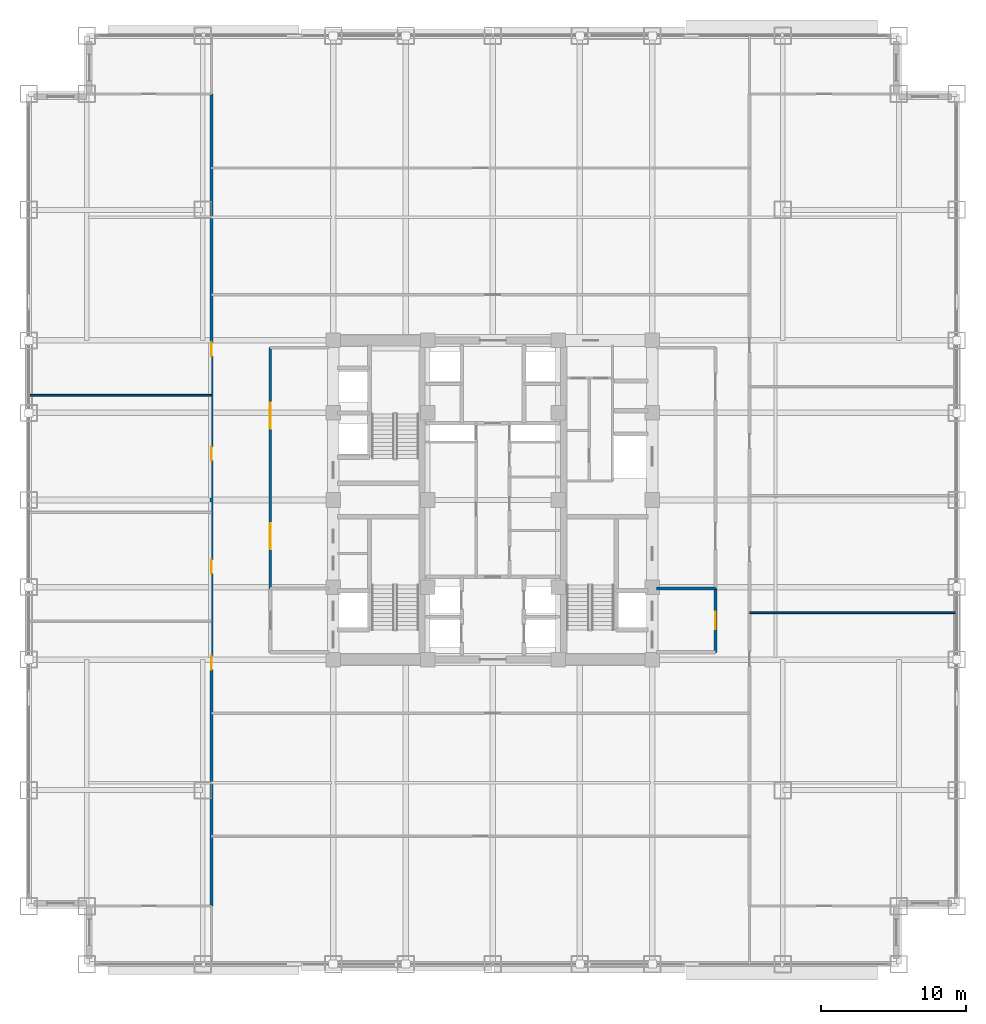
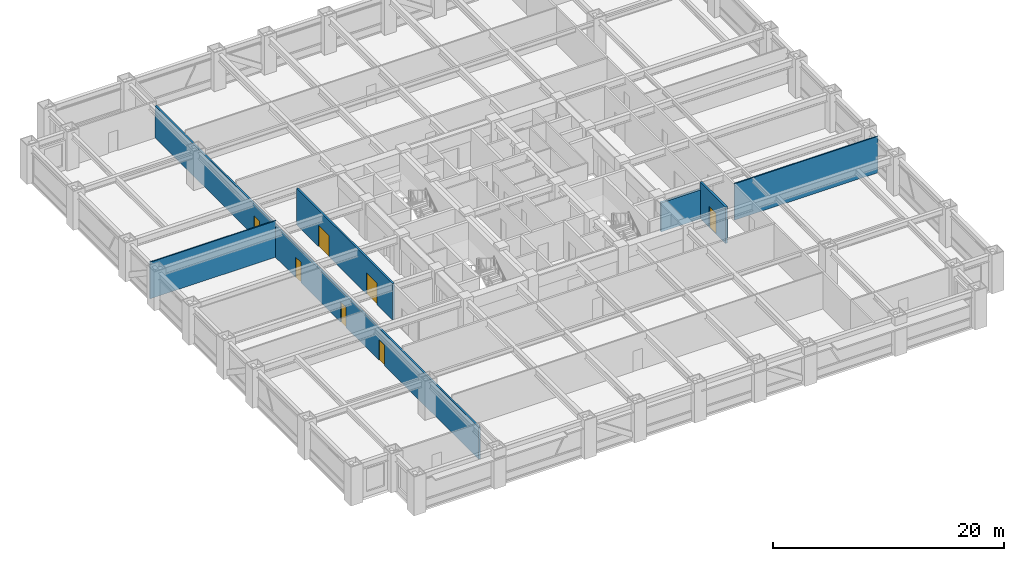
# One storey, part 24 of 32: 7 doors, 6 walls, 7 openings.
"""IFC4 building model written with IfcOpenShell, lengths in metres."""

from ifc_helpers import new_model, si_unit, direction, frame, frame_2d, origin, place, context, subcontext, project, spatial, rectangle, extrude, source, transform, mapped, material, layer, layer_set, type_object, element, fill, save


model = new_model("IFC4")

# Units and contexts
model_context = context("Model", 3, precision=1e-05, world=origin(), true_north=direction((0.0, 1.0)))
body_context = subcontext(model_context, "Body", "Model", "MODEL_VIEW")
ifc_project = project(units=[si_unit("LENGTHUNIT", "METRE"), si_unit("AREAUNIT", "SQUARE_METRE"), si_unit("VOLUMEUNIT", "CUBIC_METRE"), si_unit("PLANEANGLEUNIT", "RADIAN"), si_unit("MASSUNIT", "GRAM", prefix="KILO")], contexts=[model_context])

# Site, building, storey
site_placement = place(None, origin())
site = spatial("IfcSite", under=ifc_project, at=site_placement, CompositionType="ELEMENT")
building_placement = place(site_placement, origin())
building = spatial("IfcBuilding", under=site, at=building_placement, Name="Khorayat Bourse Tower", CompositionType="ELEMENT")
storey_placement = place(building_placement, frame((0.0, 0.0, 91.39990234375)))
storey = spatial("IfcBuildingStorey", under=building, at=storey_placement, Name="L20", CompositionType="ELEMENT", Elevation=91.39990234375)

# Wall
ifc_material_1 = material(Name="Aerated concrete blockwork", Category="masonry")
ifc_layer_1 = layer(ifc_material_1, 0.219970703125)
ifc_layer_set_1 = layer_set([ifc_layer_1], Name="Aerated concrete blockwork")
wall_type_1 = type_object("IfcWallType", Name="WAL-PART-FF-220", PredefinedType="PARTITIONING", material=ifc_layer_set_1)
shared_shape_1 = source(origin(), body_context, "Body", "SweptSolid", [
    extrude(rectangle(XDim=4.050048828125, YDim=0.219970703125, at=frame_2d((2.02490234375, 0.0))), origin(), (0.0, 0.0, 1.0), 3.067138671875),
])
wall_1_placement = place(storey_placement, frame((11.300048828125, -6.10009765625, 0.0), z_axis=(0.0, 0.0, 1.0), x_axis=(1.0, 0.0, 0.0)))
element("IfcWall", 1, at=wall_1_placement, inside=storey, type_object=wall_type_1, Name="L20 Partition WAL-L20-FFLE-N", PredefinedType="PARTITIONING", context=body_context, shape_type="MappedRepresentation", body=[
    mapped(shared_shape_1, transform((0.0, 0.0, 0.0), scale=1.0)),
])

# Wall, opening, door
shared_shape_2 = source(origin(), body_context, "Body", "SweptSolid", [
    extrude(rectangle(XDim=4.39990234375, YDim=0.219970703125, at=frame_2d((2.199951171875, 0.0))), origin(), (0.0, 0.0, 1.0), 3.840087890625),
])
wall_2_placement = place(storey_placement, frame((15.35009765625, -10.5, 0.0), z_axis=(0.0, 0.0, 1.0), x_axis=(0.0, 1.0, 0.0)))
wall_2 = element("IfcWall", 2, at=wall_2_placement, inside=storey, type_object=wall_type_1, Name="L20 Partition WAL-L20-FFLE-E", PredefinedType="PARTITIONING", context=body_context, shape_type="MappedRepresentation", body=[
    mapped(shared_shape_2, transform((0.0, 0.0, 0.0), scale=1.0)),
])
shared_shape_3 = source(origin(), body_context, "Body", "SweptSolid", [
    extrude(rectangle(XDim=1.199951171875, YDim=2.199951171875, at=frame_2d((0.60009765625, 1.10009765625))), frame((0.0, 0.119873046875, 0.0), z_axis=(0.0, -1.0, 0.0), x_axis=(1.0, 0.0, 0.0)), (0.0, 0.0, 1.0), 0.239990234375),
])
opening_1_placement = place(wall_2_placement, frame((1.60009765625, 0.0, 0.0)))
opening_1 = element("IfcOpeningElement", 3, at=opening_1_placement, cuts=wall_2, Name="Opening DI-02", PredefinedType="OPENING", context=body_context, shape_type="MappedRepresentation", body=[
    mapped(shared_shape_3, transform((0.0, 0.0, 0.0), scale=1.0)),
])
ifc_material_2 = material(Name="Fire-rated steel double-seal leaf", Category="steel")
door_type_1 = type_object("IfcDoorType", Name="DR-INT-FFLOBBY-1200", OperationType="NOTDEFINED", PredefinedType="DOOR", material=ifc_material_2)
shared_shape_4 = source(origin(), body_context, "Body", "SweptSolid", [
    extrude(rectangle(XDim=1.199951171875, YDim=2.199951171875, at=frame_2d((0.60009765625, 1.10009765625))), frame((0.0, 0.02490234375, 0.0), z_axis=(0.0, -1.0, 0.0), x_axis=(1.0, 0.0, 0.0)), (0.0, 0.0, 1.0), 0.050048828125),
])
door_1_placement = place(opening_1_placement, origin())
door_1 = element("IfcDoor", 4, at=door_1_placement, inside=storey, type_object=door_type_1, Name="L20 East Firefighting Lobby Door", OperationType="SINGLE_SWING_RIGHT", OverallHeight=2.199951171875, OverallWidth=1.199951171875, PredefinedType="DOOR", context=body_context, shape_type="MappedRepresentation", body=[
    mapped(shared_shape_4, transform((0.0, 0.0, 0.0), scale=1.0)),
])
fill(opening_1, door_1)

# Wall, openings, doors
ifc_material_3 = material(Name="Gypsum plasterboard acoustic stud wall")
ifc_layer_2 = layer(ifc_material_3, 0.179931640625)
ifc_layer_set_2 = layer_set([ifc_layer_2], Name="Gypsum plasterboard acoustic stud wall")
wall_type_2 = type_object("IfcWallType", Name="WAL-PART-CORR-180", PredefinedType="PARTITIONING", material=ifc_layer_set_2)
shared_shape_5 = source(origin(), body_context, "Body", "SweptSolid", [
    extrude(rectangle(XDim=16.60009765625, YDim=0.179931640625, at=frame_2d((8.300048828125, 0.0))), origin(), (0.0, 0.0, 1.0), 3.840087890625),
])
wall_3_placement = place(storey_placement, frame((-15.35009765625, -6.10009765625, 0.0), z_axis=(0.0, 0.0, 1.0), x_axis=(0.0, 1.0, 0.0)))
wall_3 = element("IfcWall", 5, at=wall_3_placement, inside=storey, type_object=wall_type_2, Name="L20 Partition WAL-L20-WLOB-W", PredefinedType="PARTITIONING", context=body_context, shape_type="MappedRepresentation", body=[
    mapped(shared_shape_5, transform((0.0, 0.0, 0.0), scale=1.0)),
])
shared_shape_6 = source(origin(), body_context, "Body", "SweptSolid", [
    extrude(rectangle(XDim=1.800048828125, YDim=2.25, at=frame_2d((0.89990234375, 1.125))), frame((0.0, 0.099853515625, 0.0), z_axis=(0.0, -1.0, 0.0), x_axis=(1.0, 0.0, 0.0)), (0.0, 0.0, 1.0), 0.199951171875),
])
opening_2_placement = place(wall_3_placement, frame((2.699951171875, 0.0, 0.0)))
opening_2 = element("IfcOpeningElement", 6, at=opening_2_placement, cuts=wall_3, Name="Opening DI-03", PredefinedType="OPENING", context=body_context, shape_type="MappedRepresentation", body=[
    mapped(shared_shape_6, transform((0.0, 0.0, 0.0), scale=1.0)),
])
opening_3_placement = place(wall_3_placement, frame((11.0, 0.0, 0.0)))
opening_3 = element("IfcOpeningElement", 7, at=opening_3_placement, cuts=wall_3, Name="Opening DI-03", PredefinedType="OPENING", context=body_context, shape_type="MappedRepresentation", body=[
    mapped(shared_shape_6, transform((0.0, 0.0, 0.0), scale=1.0)),
])
ifc_material_4 = material(Name="Fire-rated hardwood vision-panel double leaf", Category="wood")
door_type_2 = type_object("IfcDoorType", Name="DR-INT-CORR-1800", OperationType="NOTDEFINED", PredefinedType="DOOR", material=ifc_material_4)
shared_shape_7 = source(origin(), body_context, "Body", "SweptSolid", [
    extrude(rectangle(XDim=1.800048828125, YDim=2.25, at=frame_2d((0.89990234375, 1.125))), frame((0.0, 0.02490234375, 0.0), z_axis=(0.0, -1.0, 0.0), x_axis=(1.0, 0.0, 0.0)), (0.0, 0.0, 1.0), 0.050048828125),
])
door_2_placement = place(opening_2_placement, origin())
door_2 = element("IfcDoor", 8, at=door_2_placement, inside=storey, type_object=door_type_2, Name="L20 West Core Lobby South Door", OperationType="SINGLE_SWING_LEFT", OverallHeight=2.25, OverallWidth=1.800048828125, PredefinedType="DOOR", context=body_context, shape_type="MappedRepresentation", body=[
    mapped(shared_shape_7, transform((0.0, 0.0, 0.0), scale=1.0)),
])
fill(opening_2, door_2)
door_3_placement = place(opening_3_placement, origin())
door_3 = element("IfcDoor", 9, at=door_3_placement, inside=storey, type_object=door_type_2, Name="L20 West Core Lobby North Door", OperationType="SINGLE_SWING_RIGHT", OverallHeight=2.25, OverallWidth=1.800048828125, PredefinedType="DOOR", context=body_context, shape_type="MappedRepresentation", body=[
    mapped(shared_shape_7, transform((0.0, 0.0, 0.0), scale=1.0)),
])
fill(opening_3, door_3)

# Wall
ifc_material_5 = material(Name="Gypsum plasterboard partition")
ifc_layer_3 = layer(ifc_material_5, 0.125)
ifc_layer_set_3 = layer_set([ifc_layer_3], Name="Gypsum plasterboard partition")
wall_type_3 = type_object("IfcWallType", Name="WAL-PART-ROOM-125", PredefinedType="PARTITIONING", material=ifc_layer_set_3)
shared_shape_8 = source(origin(), body_context, "Body", "SweptSolid", [
    extrude(rectangle(XDim=12.60009765625, YDim=0.125, at=frame_2d((6.300048828125, 0.0))), origin(), (0.0, 0.0, 1.0), 3.840087890625),
])
wall_4_placement = place(storey_placement, frame((-32.0, 7.22607421875, 0.0), z_axis=(0.0, 0.0, 1.0), x_axis=(1.0, 0.0, 0.0)))
element("IfcWall", 10, at=wall_4_placement, inside=storey, type_object=wall_type_3, Name="L20 Partition WAL-L20-WDV-3", PredefinedType="PARTITIONING", context=body_context, shape_type="MappedRepresentation", body=[
    mapped(shared_shape_8, transform((0.0, 0.0, 0.0), scale=1.0)),
])

# Wall, openings, doors
shared_shape_9 = source(origin(), body_context, "Body", "SweptSolid", [
    extrude(rectangle(XDim=56.0, YDim=0.179931640625, at=frame_2d((28.0, 0.0))), origin(), (0.0, 0.0, 1.0), 3.37109375),
])
wall_5_placement = place(storey_placement, frame((-19.39990234375, -28.0, 0.0), z_axis=(0.0, 0.0, 1.0), x_axis=(0.0, 1.0, 0.0)))
wall_5 = element("IfcWall", 11, at=wall_5_placement, inside=storey, type_object=wall_type_2, Name="L20 Partition WAL-L20-WCORR", PredefinedType="PARTITIONING", context=body_context, shape_type="MappedRepresentation", body=[
    mapped(shared_shape_9, transform((0.0, 0.0, 0.0), scale=1.0)),
])
shared_shape_10 = source(origin(), body_context, "Body", "SweptSolid", [
    extrude(rectangle(XDim=0.949951171875, YDim=2.14990234375, at=frame_2d((0.47509765625, 1.074951171875))), frame((0.0, 0.099853515625, 0.0), z_axis=(0.0, -1.0, 0.0), x_axis=(1.0, 0.0, 0.0)), (0.0, 0.0, 1.0), 0.199951171875),
])
opening_4_placement = place(wall_5_placement, frame((16.298583984375, 0.0, 0.0)))
opening_4 = element("IfcOpeningElement", 12, at=opening_4_placement, cuts=wall_5, Name="Opening DI-05", PredefinedType="OPENING", context=body_context, shape_type="MappedRepresentation", body=[
    mapped(shared_shape_10, transform((0.0, 0.0, 0.0), scale=1.0)),
])
opening_5_placement = place(wall_5_placement, frame((22.922607421875, 0.0, 0.0)))
opening_5 = element("IfcOpeningElement", 13, at=opening_5_placement, cuts=wall_5, Name="Opening DI-05", PredefinedType="OPENING", context=body_context, shape_type="MappedRepresentation", body=[
    mapped(shared_shape_10, transform((0.0, 0.0, 0.0), scale=1.0)),
])
opening_6_placement = place(wall_5_placement, frame((30.7119140625, 0.0, 0.0)))
opening_6 = element("IfcOpeningElement", 14, at=opening_6_placement, cuts=wall_5, Name="Opening DI-05", PredefinedType="OPENING", context=body_context, shape_type="MappedRepresentation", body=[
    mapped(shared_shape_10, transform((0.0, 0.0, 0.0), scale=1.0)),
])
opening_7_placement = place(wall_5_placement, frame((37.9130859375, 0.0, 0.0)))
opening_7 = element("IfcOpeningElement", 15, at=opening_7_placement, cuts=wall_5, Name="Opening DI-05", PredefinedType="OPENING", context=body_context, shape_type="MappedRepresentation", body=[
    mapped(shared_shape_10, transform((0.0, 0.0, 0.0), scale=1.0)),
])
ifc_material_6 = material(Name="Acoustic oak veneer office door")
door_type_3 = type_object("IfcDoorType", Name="DR-INT-OFFICE-950", OperationType="NOTDEFINED", PredefinedType="DOOR", material=ifc_material_6)
shared_shape_11 = source(origin(), body_context, "Body", "SweptSolid", [
    extrude(rectangle(XDim=0.949951171875, YDim=2.14990234375, at=frame_2d((0.47509765625, 1.074951171875))), frame((0.0, 0.02490234375, 0.0), z_axis=(0.0, -1.0, 0.0), x_axis=(1.0, 0.0, 0.0)), (0.0, 0.0, 1.0), 0.050048828125),
])
door_4_placement = place(opening_4_placement, origin())
door_4 = element("IfcDoor", 16, at=door_4_placement, inside=storey, type_object=door_type_3, Name="L20 Members Dining Room W1 Door", OperationType="SINGLE_SWING_RIGHT", OverallHeight=2.14990234375, OverallWidth=0.949951171875, PredefinedType="DOOR", context=body_context, shape_type="MappedRepresentation", body=[
    mapped(shared_shape_11, transform((0.0, 0.0, 0.0), scale=1.0)),
])
fill(opening_4, door_4)
door_5_placement = place(opening_5_placement, origin())
door_5 = element("IfcDoor", 17, at=door_5_placement, inside=storey, type_object=door_type_3, Name="L20 Catering Servery Kitchen W2 Door", OperationType="SINGLE_SWING_LEFT", OverallHeight=2.14990234375, OverallWidth=0.949951171875, PredefinedType="DOOR", context=body_context, shape_type="MappedRepresentation", body=[
    mapped(shared_shape_11, transform((0.0, 0.0, 0.0), scale=1.0)),
])
fill(opening_5, door_5)
door_6_placement = place(opening_6_placement, origin())
door_6 = element("IfcDoor", 18, at=door_6_placement, inside=storey, type_object=door_type_3, Name="L20 Staff Tea Pantry W3 Door", OperationType="SINGLE_SWING_RIGHT", OverallHeight=2.14990234375, OverallWidth=0.949951171875, PredefinedType="DOOR", context=body_context, shape_type="MappedRepresentation", body=[
    mapped(shared_shape_11, transform((0.0, 0.0, 0.0), scale=1.0)),
])
fill(opening_6, door_6)
door_7_placement = place(opening_7_placement, origin())
door_7 = element("IfcDoor", 19, at=door_7_placement, inside=storey, type_object=door_type_3, Name="L20 Public Washrooms and Restrooms W4 Door", OperationType="SINGLE_SWING_LEFT", OverallHeight=2.14990234375, OverallWidth=0.949951171875, PredefinedType="DOOR", context=body_context, shape_type="MappedRepresentation", body=[
    mapped(shared_shape_11, transform((0.0, 0.0, 0.0), scale=1.0)),
])
fill(opening_7, door_7)

# Wall
shared_shape_12 = source(origin(), body_context, "Body", "SweptSolid", [
    extrude(rectangle(XDim=14.300048828125, YDim=0.125, at=frame_2d((7.14990234375, 0.0))), origin(), (0.0, 0.0, 1.0), 3.840087890625),
])
wall_6_placement = place(storey_placement, frame((17.699951171875, -7.77587890625, 0.0), z_axis=(0.0, 0.0, 1.0), x_axis=(1.0, 0.0, 0.0)))
element("IfcWall", 20, at=wall_6_placement, inside=storey, type_object=wall_type_3, Name="L20 Partition WAL-L20-EDV-1", PredefinedType="PARTITIONING", context=body_context, shape_type="MappedRepresentation", body=[
    mapped(shared_shape_12, transform((0.0, 0.0, 0.0), scale=1.0)),
])

save(model, "model.ifc")
